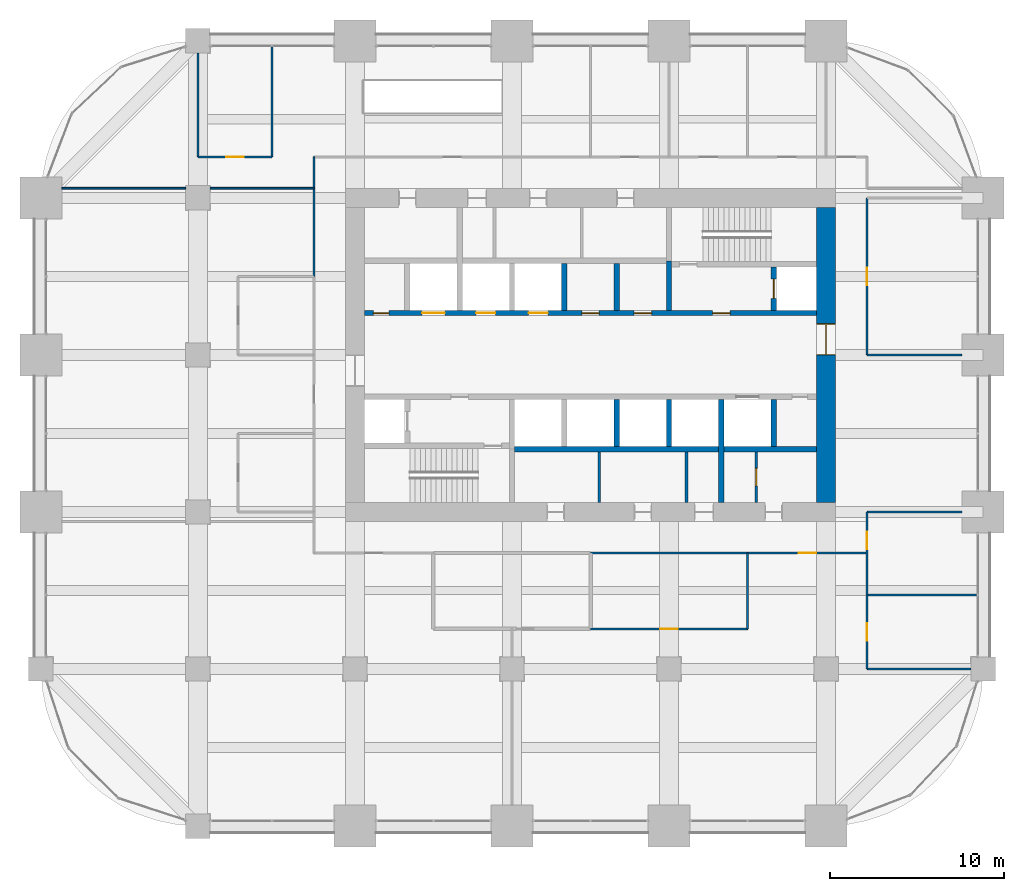
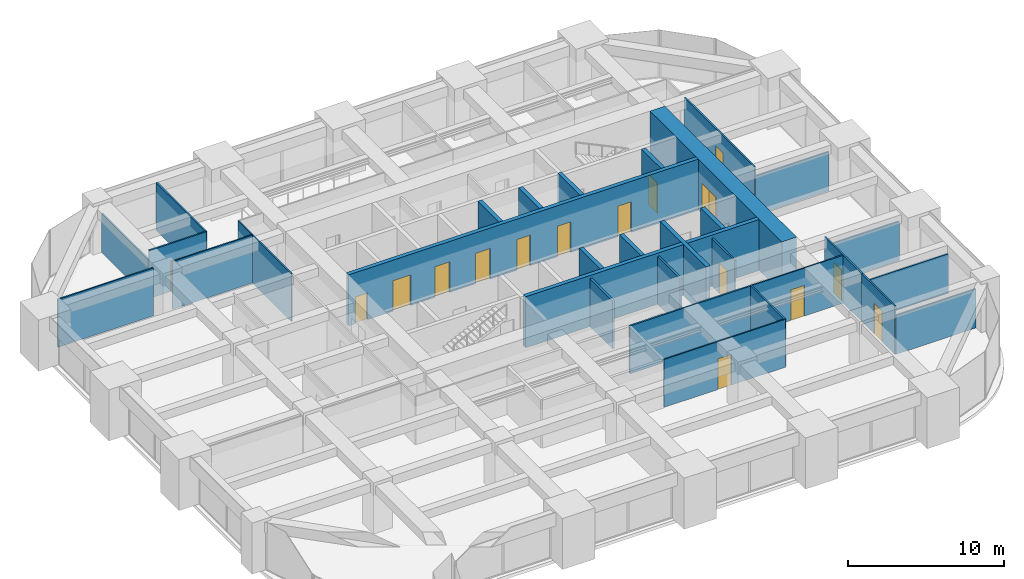
# One storey, part 30 of 32: 31 walls, 16 doors, 16 openings.
"""IFC4 building model written with IfcOpenShell, lengths in metres."""

from ifc_helpers import new_model, si_unit, direction, frame, frame_2d, origin, place, context, subcontext, project, spatial, rectangle, extrude, material, layer, layer_set, type_object, element, fill, save


model = new_model("IFC4")

# Units and contexts
model_context = context("Model", 3, precision=1e-05, world=origin(), true_north=direction((0.0, 1.0)))
body_context = subcontext(model_context, "Body", "Model", "MODEL_VIEW")
ifc_project = project(units=[si_unit("LENGTHUNIT", "METRE"), si_unit("AREAUNIT", "SQUARE_METRE"), si_unit("VOLUMEUNIT", "CUBIC_METRE"), si_unit("PLANEANGLEUNIT", "RADIAN"), si_unit("MASSUNIT", "GRAM", prefix="KILO")], contexts=[model_context])

# Site, building, storey
site_placement = place(None, origin())
site = spatial("IfcSite", under=ifc_project, at=site_placement, CompositionType="ELEMENT")
building_placement = place(site_placement, origin())
building = spatial("IfcBuilding", under=site, at=building_placement, Name="Zorevar Civic Tower", CompositionType="ELEMENT")
storey_placement = place(building_placement, frame((0.0, 0.0, 198.199951171875)))
storey = spatial("IfcBuildingStorey", under=building, at=storey_placement, Name="L48", CompositionType="ELEMENT", Elevation=198.199951171875)

# Wall, opening, door
ifc_material_1 = material(Name="Concrete C50/60", Category="concrete")
ifc_layer_1 = layer(ifc_material_1, 1.10009765625)
ifc_layer_set_1 = layer_set([ifc_layer_1], Name="Core wall 1100")
wall_type_1 = type_object("IfcWallType", Name="Core wall 1100", PredefinedType="SHEAR", material=ifc_layer_set_1)
wall_1_placement = place(storey_placement, frame((45.0, 18.550048828125, 0.0), z_axis=(0.0, 0.0, 1.0), x_axis=(0.0, 1.0, 0.0)))
wall_1 = element("IfcWall", 1, at=wall_1_placement, inside=storey, type_object=wall_type_1, Name="Core wall E L48", PredefinedType="SHEAR", context=body_context, shape_type="SweptSolid", body=[
    extrude(rectangle(XDim=16.89990234375, YDim=1.10009765625, at=frame_2d((8.449951171875, 0.0))), origin(), (0.0, 0.0, 1.0), 4.0),
])
opening_1_placement = place(wall_1_placement, frame((8.449951171875, 0.0, 0.0)))
opening_1 = element("IfcOpeningElement", 2, at=opening_1_placement, cuts=wall_1, Name="Opening L48.02", PredefinedType="OPENING", context=body_context, shape_type="SweptSolid", body=[
    extrude(rectangle(XDim=1.800048828125, YDim=2.39990234375, at=frame_2d((0.89990234375, 1.199951171875))), frame((0.0, 0.56005859375, 0.0), z_axis=(0.0, -1.0, 0.0), x_axis=(1.0, 0.0, 0.0)), (0.0, 0.0, 1.0), 1.1201171875),
])
ifc_material_2 = material(Name="Steel door set", Category="steel")
door_type_1 = type_object("IfcDoorType", Name="Fire door FD2 1800x2400", OperationType="DOUBLE_DOOR_DOUBLE_SWING", PredefinedType="DOOR", material=ifc_material_2)
door_1_placement = place(opening_1_placement, origin())
door_1 = element("IfcDoor", 3, at=door_1_placement, inside=storey, type_object=door_type_1, Name="Door L48 01", OperationType="DOUBLE_DOOR_DOUBLE_SWING", OverallHeight=2.39990234375, OverallWidth=1.800048828125, PredefinedType="DOOR", context=body_context, shape_type="SweptSolid", body=[
    extrude(rectangle(XDim=1.800048828125, YDim=2.39990234375, at=frame_2d((0.89990234375, 1.199951171875))), frame((0.0, 0.030029296875, 0.0), z_axis=(0.0, -1.0, 0.0), x_axis=(1.0, 0.0, 0.0)), (0.0, 0.0, 1.0), 0.06005859375),
    extrude(rectangle(XDim=0.04, YDim=2.39990234375, at=frame_2d((0.02001953125, 1.199951171875))), frame((0.0, 0.5498046875, 0.0), z_axis=(0.0, -1.0, 0.0), x_axis=(1.0, 0.0, 0.0)), (0.0, 0.0, 1.0), 1.099609375),
    extrude(rectangle(XDim=0.04, YDim=2.39990234375, at=frame_2d((1.780029296875, 1.199951171875))), frame((0.0, 0.5498046875, 0.0), z_axis=(0.0, -1.0, 0.0), x_axis=(1.0, 0.0, 0.0)), (0.0, 0.0, 1.0), 1.099609375),
    extrude(rectangle(XDim=1.800048828125, YDim=0.04, at=frame_2d((0.89990234375, 2.3798828125))), frame((0.0, 0.5498046875, 0.0), z_axis=(0.0, -1.0, 0.0), x_axis=(1.0, 0.0, 0.0)), (0.0, 0.0, 1.0), 1.099609375),
])
fill(opening_1, door_1)

ifc_material_3 = material(Name="Laminated glass in black aluminium frame", Category="aluminium")
ifc_layer_2 = layer(ifc_material_3, 0.10009765625)
ifc_layer_set_2 = layer_set([ifc_layer_2], Name="Glazed partition 100")
wall_type_2 = type_object("IfcWallType", Name="Glazed partition 100", PredefinedType="PARTITIONING", material=ifc_layer_set_2)
wall_2_placement = place(storey_placement, frame((31.5, 11.300048828125, 0.0), z_axis=(0.0, 0.0, 1.0), x_axis=(1.0, 0.0, 0.0)))
wall_2 = element("IfcWall", 4, at=wall_2_placement, inside=storey, type_object=wall_type_2, Name="Glazed partition 100 L48", PredefinedType="PARTITIONING", context=body_context, shape_type="SweptSolid", body=[
    extrude(rectangle(XDim=9.0, YDim=0.10009765625, at=frame_2d((4.5, 0.0))), origin(), (0.0, 0.0, 1.0), 3.75),
])
opening_2_placement = place(wall_2_placement, frame((4.0, 0.0, 0.0)))
opening_2 = element("IfcOpeningElement", 5, at=opening_2_placement, cuts=wall_2, Name="Opening L48.18", PredefinedType="OPENING", context=body_context, shape_type="SweptSolid", body=[
    extrude(rectangle(XDim=1.0, YDim=2.39990234375, at=frame_2d((0.5, 1.199951171875))), frame((0.0, 0.06005859375, 0.0), z_axis=(0.0, -1.0, 0.0), x_axis=(1.0, 0.0, 0.0)), (0.0, 0.0, 1.0), 0.1201171875),
])
ifc_material_4 = material(Name="Timber door set", Category="wood")
door_type_2 = type_object("IfcDoorType", Name="Glazed door GD1 1000x2400", OperationType="SINGLE_SWING_LEFT", PredefinedType="DOOR", material=ifc_material_4)
door_2_placement = place(opening_2_placement, origin())
door_2 = element("IfcDoor", 6, at=door_2_placement, inside=storey, type_object=door_type_2, Name="Door L48 D1", OperationType="SINGLE_SWING_LEFT", OverallHeight=2.39990234375, OverallWidth=1.0, PredefinedType="DOOR", context=body_context, shape_type="SweptSolid", body=[
    extrude(rectangle(XDim=1.0, YDim=2.39990234375, at=frame_2d((0.5, 1.199951171875))), frame((0.0, 0.02001953125, 0.0), z_axis=(0.0, -1.0, 0.0), x_axis=(1.0, 0.0, 0.0)), (0.0, 0.0, 1.0), 0.0400390625),
])
fill(opening_2, door_2)

wall_3_placement = place(storey_placement, frame((40.5, 15.64990234375, 0.0), z_axis=(0.0, 0.0, 1.0), x_axis=(1.0, 0.0, 0.0)))
wall_3 = element("IfcWall", 7, at=wall_3_placement, inside=storey, type_object=wall_type_2, Name="Glazed partition 100 L48", PredefinedType="PARTITIONING", context=body_context, shape_type="SweptSolid", body=[
    extrude(rectangle(XDim=6.85009765625, YDim=0.10009765625, at=frame_2d((3.425048828125, 0.0))), origin(), (0.0, 0.0, 1.0), 3.75),
])
opening_3_placement = place(wall_3_placement, frame((2.925048828125, 0.0, 0.0)))
opening_3 = element("IfcOpeningElement", 8, at=opening_3_placement, cuts=wall_3, Name="Opening L48.20", PredefinedType="OPENING", context=body_context, shape_type="SweptSolid", body=[
    extrude(rectangle(XDim=1.0, YDim=2.39990234375, at=frame_2d((0.5, 1.199951171875))), frame((0.0, 0.06005859375, 0.0), z_axis=(0.0, -1.0, 0.0), x_axis=(1.0, 0.0, 0.0)), (0.0, 0.0, 1.0), 0.1201171875),
])
door_3_placement = place(opening_3_placement, origin())
door_3 = element("IfcDoor", 9, at=door_3_placement, inside=storey, type_object=door_type_2, Name="Door L48 D1", OperationType="SINGLE_SWING_RIGHT", OverallHeight=2.39990234375, OverallWidth=1.0, PredefinedType="DOOR", context=body_context, shape_type="SweptSolid", body=[
    extrude(rectangle(XDim=1.0, YDim=2.39990234375, at=frame_2d((0.5, 1.199951171875))), frame((0.0, 0.02001953125, 0.0), z_axis=(0.0, -1.0, 0.0), x_axis=(1.0, 0.0, 0.0)), (0.0, 0.0, 1.0), 0.0400390625),
])
fill(opening_3, door_3)

# Walls
wall_4_placement = place(storey_placement, frame((1.199951171875, 36.550048828125, 0.0), z_axis=(0.0, 0.0, 1.0), x_axis=(1.0, 0.0, 0.0)))
element("IfcWall", 10, at=wall_4_placement, inside=storey, type_object=wall_type_2, Name="Glazed partition 100 L48", PredefinedType="PARTITIONING", context=body_context, shape_type="SweptSolid", body=[
    extrude(rectangle(XDim=7.10009765625, YDim=0.10009765625, at=frame_2d((3.550048828125, 0.0))), origin(), (0.0, 0.0, 1.0), 3.75),
])
wall_5_placement = place(storey_placement, frame((9.699951171875, 36.550048828125, 0.0), z_axis=(0.0, 0.0, 1.0), x_axis=(1.0, 0.0, 0.0)))
element("IfcWall", 11, at=wall_5_placement, inside=storey, type_object=wall_type_2, Name="Glazed partition 100 L48", PredefinedType="PARTITIONING", context=body_context, shape_type="SweptSolid", body=[
    extrude(rectangle(XDim=5.949951171875, YDim=0.10009765625, at=frame_2d((2.97509765625, 0.0))), origin(), (0.0, 0.0, 1.0), 3.75),
])
wall_6_placement = place(storey_placement, frame((15.64990234375, 31.5, 0.0), z_axis=(0.0, 0.0, 1.0), x_axis=(0.0, 1.0, 0.0)))
element("IfcWall", 12, at=wall_6_placement, inside=storey, type_object=wall_type_2, Name="Glazed partition 100 L48", PredefinedType="PARTITIONING", context=body_context, shape_type="SweptSolid", body=[
    extrude(rectangle(XDim=6.85009765625, YDim=0.10009765625, at=frame_2d((3.425048828125, 0.0))), origin(), (0.0, 0.0, 1.0), 3.75),
])

# Wall, opening, door
ifc_material_5 = material(Name="Concrete C40/50", Category="concrete")
ifc_layer_3 = layer(ifc_material_5, 0.300048828125)
ifc_layer_set_3 = layer_set([ifc_layer_3], Name="Inner core wall 300")
wall_type_3 = type_object("IfcWallType", Name="Inner core wall 300", PredefinedType="SHEAR", material=ifc_layer_set_3)
wall_7_placement = place(storey_placement, frame((42.0, 29.550048828125, 0.0), z_axis=(0.0, 0.0, 1.0), x_axis=(0.0, 1.0, 0.0)))
wall_7 = element("IfcWall", 13, at=wall_7_placement, inside=storey, type_object=wall_type_3, Name="Inner core wall N02 L48", PredefinedType="SHEAR", context=body_context, shape_type="SweptSolid", body=[
    extrude(rectangle(XDim=2.5, YDim=0.300048828125, at=frame_2d((1.25, 0.0))), origin(), (0.0, 0.0, 1.0), 4.0),
])
opening_4_placement = place(wall_7_placement, frame((0.699951171875, 0.0, 0.0)))
opening_4 = element("IfcOpeningElement", 14, at=opening_4_placement, cuts=wall_7, Name="Opening L48.FL2", PredefinedType="OPENING", context=body_context, shape_type="SweptSolid", body=[
    extrude(rectangle(XDim=1.10009765625, YDim=2.39990234375, at=frame_2d((0.550048828125, 1.199951171875))), frame((0.0, 0.159912109375, 0.0), z_axis=(0.0, -1.0, 0.0), x_axis=(1.0, 0.0, 0.0)), (0.0, 0.0, 1.0), 0.320068359375),
])
ifc_material_6 = material(Name="Steel door set", Category="steel")
door_type_3 = type_object("IfcDoorType", Name="Firefighting lift landing door LD3 1100x2400", OperationType="DOUBLE_DOOR_SLIDING", PredefinedType="DOOR", material=ifc_material_6)
door_4_placement = place(opening_4_placement, origin())
door_4 = element("IfcDoor", 15, at=door_4_placement, inside=storey, type_object=door_type_3, Name="Landing door FL2 L48", OperationType="DOUBLE_DOOR_SLIDING", OverallHeight=2.39990234375, OverallWidth=1.10009765625, PredefinedType="DOOR", context=body_context, shape_type="SweptSolid", body=[
    extrude(rectangle(XDim=1.10009765625, YDim=2.39990234375, at=frame_2d((0.550048828125, 1.199951171875))), frame((0.0, 0.030029296875, 0.0), z_axis=(0.0, -1.0, 0.0), x_axis=(1.0, 0.0, 0.0)), (0.0, 0.0, 1.0), 0.06005859375),
])
fill(opening_4, door_4)

# Wall, openings, doors
wall_8_placement = place(storey_placement, frame((18.550048828125, 29.39990234375, 0.0), z_axis=(0.0, 0.0, 1.0), x_axis=(1.0, 0.0, 0.0)))
wall_8 = element("IfcWall", 16, at=wall_8_placement, inside=storey, type_object=wall_type_3, Name="Inner core wall N03 L48", PredefinedType="SHEAR", context=body_context, shape_type="SweptSolid", body=[
    extrude(rectangle(XDim=25.89990234375, YDim=0.300048828125, at=frame_2d((12.949951171875, 0.0))), origin(), (0.0, 0.0, 1.0), 4.0),
])
opening_5_placement = place(wall_8_placement, frame((19.949951171875, 0.0, 0.0)))
opening_5 = element("IfcOpeningElement", 17, at=opening_5_placement, cuts=wall_8, Name="Opening L48.14", PredefinedType="OPENING", context=body_context, shape_type="SweptSolid", body=[
    extrude(rectangle(XDim=1.0, YDim=2.39990234375, at=frame_2d((0.5, 1.199951171875))), frame((0.0, 0.159912109375, 0.0), z_axis=(0.0, -1.0, 0.0), x_axis=(1.0, 0.0, 0.0)), (0.0, 0.0, 1.0), 0.320068359375),
])
opening_6_placement = place(wall_8_placement, frame((0.5, 0.0, 0.0)))
opening_6 = element("IfcOpeningElement", 18, at=opening_6_placement, cuts=wall_8, Name="Opening L48.16", PredefinedType="OPENING", context=body_context, shape_type="SweptSolid", body=[
    extrude(rectangle(XDim=0.89990234375, YDim=2.10009765625, at=frame_2d((0.449951171875, 1.050048828125))), frame((0.0, 0.159912109375, 0.0), z_axis=(0.0, -1.0, 0.0), x_axis=(1.0, 0.0, 0.0)), (0.0, 0.0, 1.0), 0.320068359375),
])
opening_7_placement = place(wall_8_placement, frame((15.449951171875, 0.0, 0.0)))
opening_7 = element("IfcOpeningElement", 19, at=opening_7_placement, cuts=wall_8, Name="Opening L48.34", PredefinedType="OPENING", context=body_context, shape_type="SweptSolid", body=[
    extrude(rectangle(XDim=1.0, YDim=2.39990234375, at=frame_2d((0.5, 1.199951171875))), frame((0.0, 0.159912109375, 0.0), z_axis=(0.0, -1.0, 0.0), x_axis=(1.0, 0.0, 0.0)), (0.0, 0.0, 1.0), 0.320068359375),
])
opening_8_placement = place(wall_8_placement, frame((12.449951171875, 0.0, 0.0)))
opening_8 = element("IfcOpeningElement", 20, at=opening_8_placement, cuts=wall_8, Name="Opening L48.35", PredefinedType="OPENING", context=body_context, shape_type="SweptSolid", body=[
    extrude(rectangle(XDim=1.0, YDim=2.39990234375, at=frame_2d((0.5, 1.199951171875))), frame((0.0, 0.159912109375, 0.0), z_axis=(0.0, -1.0, 0.0), x_axis=(1.0, 0.0, 0.0)), (0.0, 0.0, 1.0), 0.320068359375),
])
opening_9_placement = place(wall_8_placement, frame((9.39990234375, 0.0, 0.0)))
opening_9 = element("IfcOpeningElement", 21, at=opening_9_placement, cuts=wall_8, Name="Opening L48.LH1", PredefinedType="OPENING", context=body_context, shape_type="SweptSolid", body=[
    extrude(rectangle(XDim=1.10009765625, YDim=2.39990234375, at=frame_2d((0.550048828125, 1.199951171875))), frame((0.0, 0.159912109375, 0.0), z_axis=(0.0, -1.0, 0.0), x_axis=(1.0, 0.0, 0.0)), (0.0, 0.0, 1.0), 0.320068359375),
])
opening_10_placement = place(wall_8_placement, frame((6.39990234375, 0.0, 0.0)))
opening_10 = element("IfcOpeningElement", 22, at=opening_10_placement, cuts=wall_8, Name="Opening L48.LH2", PredefinedType="OPENING", context=body_context, shape_type="SweptSolid", body=[
    extrude(rectangle(XDim=1.10009765625, YDim=2.39990234375, at=frame_2d((0.550048828125, 1.199951171875))), frame((0.0, 0.159912109375, 0.0), z_axis=(0.0, -1.0, 0.0), x_axis=(1.0, 0.0, 0.0)), (0.0, 0.0, 1.0), 0.320068359375),
])
opening_11_placement = place(wall_8_placement, frame((3.300048828125, 0.0, 0.0)))
opening_11 = element("IfcOpeningElement", 23, at=opening_11_placement, cuts=wall_8, Name="Opening L48.SL2", PredefinedType="OPENING", context=body_context, shape_type="SweptSolid", body=[
    extrude(rectangle(XDim=1.300048828125, YDim=2.39990234375, at=frame_2d((0.64990234375, 1.199951171875))), frame((0.0, 0.159912109375, 0.0), z_axis=(0.0, -1.0, 0.0), x_axis=(1.0, 0.0, 0.0)), (0.0, 0.0, 1.0), 0.320068359375),
])
ifc_material_7 = material(Name="Steel door set", Category="steel")
door_type_4 = type_object("IfcDoorType", Name="Fire door FD1 1000x2400", OperationType="SINGLE_SWING_LEFT", PredefinedType="DOOR", material=ifc_material_7)
door_5_placement = place(opening_5_placement, origin())
door_5 = element("IfcDoor", 24, at=door_5_placement, inside=storey, type_object=door_type_4, Name="Door L48 13", OperationType="SINGLE_SWING_RIGHT", OverallHeight=2.39990234375, OverallWidth=1.0, PredefinedType="DOOR", context=body_context, shape_type="SweptSolid", body=[
    extrude(rectangle(XDim=1.0, YDim=2.39990234375, at=frame_2d((0.5, 1.199951171875))), frame((0.0, 0.030029296875, 0.0), z_axis=(0.0, -1.0, 0.0), x_axis=(1.0, 0.0, 0.0)), (0.0, 0.0, 1.0), 0.06005859375),
])
fill(opening_5, door_5)
door_6_placement = place(opening_7_placement, origin())
door_6 = element("IfcDoor", 25, at=door_6_placement, inside=storey, type_object=door_type_4, Name="Door L48 LM1 shaft room", OperationType="SINGLE_SWING_LEFT", OverallHeight=2.39990234375, OverallWidth=1.0, PredefinedType="DOOR", context=body_context, shape_type="SweptSolid", body=[
    extrude(rectangle(XDim=1.0, YDim=2.39990234375, at=frame_2d((0.5, 1.199951171875))), frame((0.0, 0.030029296875, 0.0), z_axis=(0.0, -1.0, 0.0), x_axis=(1.0, 0.0, 0.0)), (0.0, 0.0, 1.0), 0.06005859375),
])
fill(opening_7, door_6)
door_7_placement = place(opening_8_placement, origin())
door_7 = element("IfcDoor", 26, at=door_7_placement, inside=storey, type_object=door_type_4, Name="Door L48 LM2 shaft room", OperationType="SINGLE_SWING_LEFT", OverallHeight=2.39990234375, OverallWidth=1.0, PredefinedType="DOOR", context=body_context, shape_type="SweptSolid", body=[
    extrude(rectangle(XDim=1.0, YDim=2.39990234375, at=frame_2d((0.5, 1.199951171875))), frame((0.0, 0.030029296875, 0.0), z_axis=(0.0, -1.0, 0.0), x_axis=(1.0, 0.0, 0.0)), (0.0, 0.0, 1.0), 0.06005859375),
])
fill(opening_8, door_7)
ifc_material_8 = material(Name="Steel door set", Category="steel")
door_type_5 = type_object("IfcDoorType", Name="Landing door LD1 1100x2400", OperationType="DOUBLE_DOOR_SLIDING", PredefinedType="DOOR", material=ifc_material_8)
door_8_placement = place(opening_9_placement, origin())
door_8 = element("IfcDoor", 27, at=door_8_placement, inside=storey, type_object=door_type_5, Name="Landing door LH1 L48", OperationType="DOUBLE_DOOR_SLIDING", OverallHeight=2.39990234375, OverallWidth=1.10009765625, PredefinedType="DOOR", context=body_context, shape_type="SweptSolid", body=[
    extrude(rectangle(XDim=1.10009765625, YDim=2.39990234375, at=frame_2d((0.550048828125, 1.199951171875))), frame((0.0, 0.02001953125, 0.0), z_axis=(0.0, -1.0, 0.0), x_axis=(1.0, 0.0, 0.0)), (0.0, 0.0, 1.0), 0.0400390625),
])
fill(opening_9, door_8)
door_9_placement = place(opening_10_placement, origin())
door_9 = element("IfcDoor", 28, at=door_9_placement, inside=storey, type_object=door_type_5, Name="Landing door LH2 L48", OperationType="DOUBLE_DOOR_SLIDING", OverallHeight=2.39990234375, OverallWidth=1.10009765625, PredefinedType="DOOR", context=body_context, shape_type="SweptSolid", body=[
    extrude(rectangle(XDim=1.10009765625, YDim=2.39990234375, at=frame_2d((0.550048828125, 1.199951171875))), frame((0.0, 0.02001953125, 0.0), z_axis=(0.0, -1.0, 0.0), x_axis=(1.0, 0.0, 0.0)), (0.0, 0.0, 1.0), 0.0400390625),
])
fill(opening_10, door_9)
ifc_material_9 = material(Name="Steel door set", Category="steel")
door_type_6 = type_object("IfcDoorType", Name="Landing door LD2 1300x2400", OperationType="DOUBLE_DOOR_SLIDING", PredefinedType="DOOR", material=ifc_material_9)
door_10_placement = place(opening_11_placement, origin())
door_10 = element("IfcDoor", 29, at=door_10_placement, inside=storey, type_object=door_type_6, Name="Landing door SL2 L48", OperationType="DOUBLE_DOOR_SLIDING", OverallHeight=2.39990234375, OverallWidth=1.300048828125, PredefinedType="DOOR", context=body_context, shape_type="SweptSolid", body=[
    extrude(rectangle(XDim=1.300048828125, YDim=2.39990234375, at=frame_2d((0.64990234375, 1.199951171875))), frame((0.0, 0.02001953125, 0.0), z_axis=(0.0, -1.0, 0.0), x_axis=(1.0, 0.0, 0.0)), (0.0, 0.0, 1.0), 0.0400390625),
])
fill(opening_11, door_10)
ifc_material_10 = material(Name="Steel door set", Category="steel")
door_type_7 = type_object("IfcDoorType", Name="Riser door RD1 900x2100", OperationType="SINGLE_SWING_LEFT", PredefinedType="DOOR", material=ifc_material_10)
door_11_placement = place(opening_6_placement, origin())
door_11 = element("IfcDoor", 30, at=door_11_placement, inside=storey, type_object=door_type_7, Name="Door L48 15", OperationType="SINGLE_SWING_RIGHT", OverallHeight=2.10009765625, OverallWidth=0.89990234375, PredefinedType="DOOR", context=body_context, shape_type="SweptSolid", body=[
    extrude(rectangle(XDim=0.89990234375, YDim=2.10009765625, at=frame_2d((0.449951171875, 1.050048828125))), frame((0.0, 0.030029296875, 0.0), z_axis=(0.0, -1.0, 0.0), x_axis=(1.0, 0.0, 0.0)), (0.0, 0.0, 1.0), 0.06005859375),
])
fill(opening_6, door_11)

# Walls
wall_9_placement = place(storey_placement, frame((27.14990234375, 21.60009765625, 0.0), z_axis=(0.0, 0.0, 1.0), x_axis=(1.0, 0.0, 0.0)))
element("IfcWall", 31, at=wall_9_placement, inside=storey, type_object=wall_type_3, Name="Inner core wall S04 L48", PredefinedType="SHEAR", context=body_context, shape_type="SweptSolid", body=[
    extrude(rectangle(XDim=17.300048828125, YDim=0.300048828125, at=frame_2d((8.64990234375, 0.0))), origin(), (0.0, 0.0, 1.0), 4.0),
])
for number, where, z_axis, x_axis, name in (
    (32, (33.0, 29.550048828125, 0.0), (0.0, 0.0, 1.0), (0.0, 1.0, 0.0), "Inner core wall N05 L48"),
    (33, (33.0, 21.75, 0.0), (0.0, 0.0, 1.0), (0.0, 1.0, 0.0), "Inner core wall S06 L48"),
    (34, (30.0, 29.550048828125, 0.0), (0.0, 0.0, 1.0), (0.0, 1.0, 0.0), "Inner core wall N06 L48"),
    (35, (36.0, 21.75, 0.0), (0.0, 0.0, 1.0), (0.0, 1.0, 0.0), "Inner core wall S07 L48"),
):
    element("IfcWall", number, at=place(storey_placement, frame(where, z_axis=z_axis, x_axis=x_axis)), inside=storey, type_object=wall_type_3, Name=name, PredefinedType="SHEAR", context=body_context, shape_type="SweptSolid", body=[
        extrude(rectangle(XDim=2.699951171875, YDim=0.300048828125, at=frame_2d((1.35009765625, 0.0))), origin(), (0.0, 0.0, 1.0), 4.0),
    ])
wall_10_placement = place(storey_placement, frame((39.0, 18.550048828125, 0.0), z_axis=(0.0, 0.0, 1.0), x_axis=(0.0, 1.0, 0.0)))
element("IfcWall", 36, at=wall_10_placement, inside=storey, type_object=wall_type_3, Name="Inner core wall S08 L48", PredefinedType="SHEAR", context=body_context, shape_type="SweptSolid", body=[
    extrude(rectangle(XDim=5.89990234375, YDim=0.300048828125, at=frame_2d((2.949951171875, 0.0))), origin(), (0.0, 0.0, 1.0), 4.0),
])
wall_11_placement = place(storey_placement, frame((42.0, 21.75, 0.0), z_axis=(0.0, 0.0, 1.0), x_axis=(0.0, 1.0, 0.0)))
element("IfcWall", 37, at=wall_11_placement, inside=storey, type_object=wall_type_3, Name="Inner core wall S09 L48", PredefinedType="SHEAR", context=body_context, shape_type="SweptSolid", body=[
    extrude(rectangle(XDim=2.699951171875, YDim=0.300048828125, at=frame_2d((1.35009765625, 0.0))), origin(), (0.0, 0.0, 1.0), 4.0),
])
wall_12_placement = place(storey_placement, frame((36.0, 29.550048828125, 0.0), z_axis=(0.0, 0.0, 1.0), x_axis=(0.0, 1.0, 0.0)))
element("IfcWall", 38, at=wall_12_placement, inside=storey, type_object=wall_type_3, Name="Inner core wall N10 L48", PredefinedType="SHEAR", context=body_context, shape_type="SweptSolid", body=[
    extrude(rectangle(XDim=2.849853515625, YDim=0.300048828125, at=frame_2d((1.4248046875, 0.0))), origin(), (0.0, 0.0, 1.0), 4.0),
])
ifc_material_11 = material(Name="Gypsum board on steel studs", Category="steel")
ifc_layer_4 = layer(ifc_material_11, 0.1201171875)
ifc_layer_set_4 = layer_set([ifc_layer_4], Name="Partition 120")
wall_type_4 = type_object("IfcWallType", Name="Partition 120", PredefinedType="PARTITIONING", material=ifc_layer_set_4)
wall_13_placement = place(storey_placement, frame((47.35009765625, 9.0, 0.0), z_axis=(0.0, 0.0, 1.0), x_axis=(1.0, 0.0, 0.0)))
element("IfcWall", 39, at=wall_13_placement, inside=storey, type_object=wall_type_4, Name="Partition 120 L48", PredefinedType="PARTITIONING", context=body_context, shape_type="SweptSolid", body=[
    extrude(rectangle(XDim=5.949951171875, YDim=0.1201171875, at=frame_2d((2.97509765625, 0.0))), origin(), (0.0, 0.0, 1.0), 3.050048828125),
])
wall_14_placement = place(storey_placement, frame((47.35009765625, 13.25, 0.0), z_axis=(0.0, 0.0, 1.0), x_axis=(1.0, 0.0, 0.0)))
element("IfcWall", 40, at=wall_14_placement, inside=storey, type_object=wall_type_4, Name="Partition 120 L48", PredefinedType="PARTITIONING", context=body_context, shape_type="SweptSolid", body=[
    extrude(rectangle(XDim=6.33984375, YDim=0.1201171875, at=frame_2d((3.169921875, 0.0))), origin(), (0.0, 0.0, 1.0), 3.10009765625),
])
wall_15_placement = place(storey_placement, frame((31.5, 15.64990234375, 0.0), z_axis=(0.0, 0.0, 1.0), x_axis=(1.0, 0.0, 0.0)))
element("IfcWall", 41, at=wall_15_placement, inside=storey, type_object=wall_type_4, Name="Partition 120 L48", PredefinedType="PARTITIONING", context=body_context, shape_type="SweptSolid", body=[
    extrude(rectangle(XDim=9.0, YDim=0.1201171875, at=frame_2d((4.5, 0.0))), origin(), (0.0, 0.0, 1.0), 3.75),
])
for number, where, z_axis, x_axis, name in (
    (42, (47.35009765625, 18.0, 0.0), (0.0, 0.0, 1.0), (1.0, 0.0, 0.0), "Partition 120 L48"),
    (43, (47.35009765625, 27.0, 0.0), (0.0, 0.0, 1.0), (1.0, 0.0, 0.0), "Partition 120 L48"),
):
    element("IfcWall", number, at=place(storey_placement, frame(where, z_axis=z_axis, x_axis=x_axis)), inside=storey, type_object=wall_type_4, Name=name, PredefinedType="PARTITIONING", context=body_context, shape_type="SweptSolid", body=[
        extrude(rectangle(XDim=5.449951171875, YDim=0.1201171875, at=frame_2d((2.72509765625, 0.0))), origin(), (0.0, 0.0, 1.0), 3.050048828125),
    ])

# Wall, opening, door
wall_16_placement = place(storey_placement, frame((9.0, 38.35009765625, 0.0), z_axis=(0.0, 0.0, 1.0), x_axis=(1.0, 0.0, 0.0)))
wall_16 = element("IfcWall", 44, at=wall_16_placement, inside=storey, type_object=wall_type_4, Name="Partition 120 L48", PredefinedType="PARTITIONING", context=body_context, shape_type="SweptSolid", body=[
    extrude(rectangle(XDim=4.25, YDim=0.1201171875, at=frame_2d((2.125, 0.0))), origin(), (0.0, 0.0, 1.0), 3.75),
])
opening_12_placement = place(wall_16_placement, frame((1.625, 0.0, 0.0)))
opening_12 = element("IfcOpeningElement", 45, at=opening_12_placement, cuts=wall_16, Name="Opening L48.21", PredefinedType="OPENING", context=body_context, shape_type="SweptSolid", body=[
    extrude(rectangle(XDim=1.0, YDim=2.39990234375, at=frame_2d((0.5, 1.199951171875))), frame((0.0, 0.070068359375, 0.0), z_axis=(0.0, -1.0, 0.0), x_axis=(1.0, 0.0, 0.0)), (0.0, 0.0, 1.0), 0.14013671875),
])
ifc_material_12 = material(Name="Timber door set", Category="wood")
door_type_8 = type_object("IfcDoorType", Name="Door D1 1000x2400", OperationType="SINGLE_SWING_LEFT", PredefinedType="DOOR", material=ifc_material_12)
door_12_placement = place(opening_12_placement, origin())
door_12 = element("IfcDoor", 46, at=door_12_placement, inside=storey, type_object=door_type_8, Name="Door L48 D1", OperationType="SINGLE_SWING_RIGHT", OverallHeight=2.39990234375, OverallWidth=1.0, PredefinedType="DOOR", context=body_context, shape_type="SweptSolid", body=[
    extrude(rectangle(XDim=1.0, YDim=2.39990234375, at=frame_2d((0.5, 1.199951171875))), frame((0.0, 0.02490234375, 0.0), z_axis=(0.0, -1.0, 0.0), x_axis=(1.0, 0.0, 0.0)), (0.0, 0.0, 1.0), 0.050048828125),
])
fill(opening_12, door_12)

# Walls
wall_17_placement = place(storey_placement, frame((9.0, 38.35009765625, 0.0), z_axis=(0.0, 0.0, 1.0), x_axis=(0.0, 1.0, 0.0)))
element("IfcWall", 47, at=wall_17_placement, inside=storey, type_object=wall_type_4, Name="Partition 120 L48", PredefinedType="PARTITIONING", context=body_context, shape_type="SweptSolid", body=[
    extrude(rectangle(XDim=5.949951171875, YDim=0.1201171875, at=frame_2d((2.97509765625, 0.0))), origin(), (0.0, 0.0, 1.0), 3.050048828125),
])
wall_18_placement = place(storey_placement, frame((13.25, 38.35009765625, 0.0), z_axis=(0.0, 0.0, 1.0), x_axis=(0.0, 1.0, 0.0)))
element("IfcWall", 48, at=wall_18_placement, inside=storey, type_object=wall_type_4, Name="Partition 120 L48", PredefinedType="PARTITIONING", context=body_context, shape_type="SweptSolid", body=[
    extrude(rectangle(XDim=6.33984375, YDim=0.1201171875, at=frame_2d((3.169921875, 0.0))), origin(), (0.0, 0.0, 1.0), 3.75),
])
wall_19_placement = place(storey_placement, frame((40.5, 11.300048828125, 0.0), z_axis=(0.0, 0.0, 1.0), x_axis=(0.0, 1.0, 0.0)))
element("IfcWall", 49, at=wall_19_placement, inside=storey, type_object=wall_type_4, Name="Partition 120 L48", PredefinedType="PARTITIONING", context=body_context, shape_type="SweptSolid", body=[
    extrude(rectangle(XDim=4.349853515625, YDim=0.1201171875, at=frame_2d((2.1748046875, 0.0))), origin(), (0.0, 0.0, 1.0), 3.75),
])

# Wall, opening, door
wall_20_placement = place(storey_placement, frame((47.35009765625, 9.0, 0.0), z_axis=(0.0, 0.0, 1.0), x_axis=(0.0, 1.0, 0.0)))
wall_20 = element("IfcWall", 50, at=wall_20_placement, inside=storey, type_object=wall_type_4, Name="Partition 120 L48", PredefinedType="PARTITIONING", context=body_context, shape_type="SweptSolid", body=[
    extrude(rectangle(XDim=4.25, YDim=0.1201171875, at=frame_2d((2.125, 0.0))), origin(), (0.0, 0.0, 1.0), 3.75),
])
opening_13_placement = place(wall_20_placement, frame((1.625, 0.0, 0.0)))
opening_13 = element("IfcOpeningElement", 51, at=opening_13_placement, cuts=wall_20, Name="Opening L48.30", PredefinedType="OPENING", context=body_context, shape_type="SweptSolid", body=[
    extrude(rectangle(XDim=1.0, YDim=2.39990234375, at=frame_2d((0.5, 1.199951171875))), frame((0.0, 0.070068359375, 0.0), z_axis=(0.0, -1.0, 0.0), x_axis=(1.0, 0.0, 0.0)), (0.0, 0.0, 1.0), 0.14013671875),
])
door_13_placement = place(opening_13_placement, origin())
door_13 = element("IfcDoor", 52, at=door_13_placement, inside=storey, type_object=door_type_8, Name="Door L48 D1", OperationType="SINGLE_SWING_LEFT", OverallHeight=2.39990234375, OverallWidth=1.0, PredefinedType="DOOR", context=body_context, shape_type="SweptSolid", body=[
    extrude(rectangle(XDim=1.0, YDim=2.39990234375, at=frame_2d((0.5, 1.199951171875))), frame((0.0, 0.02490234375, 0.0), z_axis=(0.0, -1.0, 0.0), x_axis=(1.0, 0.0, 0.0)), (0.0, 0.0, 1.0), 0.050048828125),
])
fill(opening_13, door_13)

wall_21_placement = place(storey_placement, frame((47.35009765625, 13.25, 0.0), z_axis=(0.0, 0.0, 1.0), x_axis=(0.0, 1.0, 0.0)))
wall_21 = element("IfcWall", 53, at=wall_21_placement, inside=storey, type_object=wall_type_4, Name="Partition 120 L48", PredefinedType="PARTITIONING", context=body_context, shape_type="SweptSolid", body=[
    extrude(rectangle(XDim=4.75, YDim=0.1201171875, at=frame_2d((2.375, 0.0))), origin(), (0.0, 0.0, 1.0), 3.75),
])
opening_14_placement = place(wall_21_placement, frame((2.625, 0.0, 0.0)))
opening_14 = element("IfcOpeningElement", 54, at=opening_14_placement, cuts=wall_21, Name="Opening L48.31", PredefinedType="OPENING", context=body_context, shape_type="SweptSolid", body=[
    extrude(rectangle(XDim=1.0, YDim=2.39990234375, at=frame_2d((0.5, 1.199951171875))), frame((0.0, 0.070068359375, 0.0), z_axis=(0.0, -1.0, 0.0), x_axis=(1.0, 0.0, 0.0)), (0.0, 0.0, 1.0), 0.14013671875),
])
door_14_placement = place(opening_14_placement, origin())
door_14 = element("IfcDoor", 55, at=door_14_placement, inside=storey, type_object=door_type_8, Name="Door L48 D1", OperationType="SINGLE_SWING_RIGHT", OverallHeight=2.39990234375, OverallWidth=1.0, PredefinedType="DOOR", context=body_context, shape_type="SweptSolid", body=[
    extrude(rectangle(XDim=1.0, YDim=2.39990234375, at=frame_2d((0.5, 1.199951171875))), frame((0.0, 0.02490234375, 0.0), z_axis=(0.0, -1.0, 0.0), x_axis=(1.0, 0.0, 0.0)), (0.0, 0.0, 1.0), 0.050048828125),
])
fill(opening_14, door_14)

wall_22_placement = place(storey_placement, frame((47.35009765625, 27.0, 0.0), z_axis=(0.0, 0.0, 1.0), x_axis=(0.0, 1.0, 0.0)))
wall_22 = element("IfcWall", 56, at=wall_22_placement, inside=storey, type_object=wall_type_4, Name="Partition 120 L48", PredefinedType="PARTITIONING", context=body_context, shape_type="SweptSolid", body=[
    extrude(rectangle(XDim=9.0, YDim=0.1201171875, at=frame_2d((4.5, 0.0))), origin(), (0.0, 0.0, 1.0), 3.75),
])
opening_15_placement = place(wall_22_placement, frame((4.0, 0.0, 0.0)))
opening_15 = element("IfcOpeningElement", 57, at=opening_15_placement, cuts=wall_22, Name="Opening L48.32", PredefinedType="OPENING", context=body_context, shape_type="SweptSolid", body=[
    extrude(rectangle(XDim=1.0, YDim=2.39990234375, at=frame_2d((0.5, 1.199951171875))), frame((0.0, 0.070068359375, 0.0), z_axis=(0.0, -1.0, 0.0), x_axis=(1.0, 0.0, 0.0)), (0.0, 0.0, 1.0), 0.14013671875),
])
door_15_placement = place(opening_15_placement, origin())
door_15 = element("IfcDoor", 58, at=door_15_placement, inside=storey, type_object=door_type_8, Name="Door L48 D1", OperationType="SINGLE_SWING_LEFT", OverallHeight=2.39990234375, OverallWidth=1.0, PredefinedType="DOOR", context=body_context, shape_type="SweptSolid", body=[
    extrude(rectangle(XDim=1.0, YDim=2.39990234375, at=frame_2d((0.5, 1.199951171875))), frame((0.0, 0.02490234375, 0.0), z_axis=(0.0, -1.0, 0.0), x_axis=(1.0, 0.0, 0.0)), (0.0, 0.0, 1.0), 0.050048828125),
])
fill(opening_15, door_15)

wall_23_placement = place(storey_placement, frame((41.0, 18.550048828125, 0.0), z_axis=(0.0, 0.0, 1.0), x_axis=(0.0, 1.0, 0.0)))
wall_23 = element("IfcWall", 59, at=wall_23_placement, inside=storey, type_object=wall_type_4, Name="Partition L48", PredefinedType="PARTITIONING", context=body_context, shape_type="SweptSolid", body=[
    extrude(rectangle(XDim=2.89990234375, YDim=0.1201171875, at=frame_2d((1.449951171875, 0.0))), origin(), (0.0, 0.0, 1.0), 3.75),
])
opening_16_placement = place(wall_23_placement, frame((0.949951171875, 0.0, 0.0)))
opening_16 = element("IfcOpeningElement", 60, at=opening_16_placement, cuts=wall_23, Name="Opening L48.33", PredefinedType="OPENING", context=body_context, shape_type="SweptSolid", body=[
    extrude(rectangle(XDim=1.0, YDim=2.39990234375, at=frame_2d((0.5, 1.199951171875))), frame((0.0, 0.070068359375, 0.0), z_axis=(0.0, -1.0, 0.0), x_axis=(1.0, 0.0, 0.0)), (0.0, 0.0, 1.0), 0.14013671875),
])
door_16_placement = place(opening_16_placement, origin())
door_16 = element("IfcDoor", 61, at=door_16_placement, inside=storey, type_object=door_type_4, Name="Door L48 ES", OperationType="SINGLE_SWING_LEFT", OverallHeight=2.39990234375, OverallWidth=1.0, PredefinedType="DOOR", context=body_context, shape_type="SweptSolid", body=[
    extrude(rectangle(XDim=1.0, YDim=2.39990234375, at=frame_2d((0.5, 1.199951171875))), frame((0.0, 0.030029296875, 0.0), z_axis=(0.0, -1.0, 0.0), x_axis=(1.0, 0.0, 0.0)), (0.0, 0.0, 1.0), 0.06005859375),
])
fill(opening_16, door_16)

# Walls
ifc_material_13 = material(Name="Gypsum board on steel studs, moisture resistant", Category="steel")
ifc_layer_5 = layer(ifc_material_13, 0.14990234375)
ifc_layer_set_5 = layer_set([ifc_layer_5], Name="WC partition 150")
wall_type_5 = type_object("IfcWallType", Name="WC partition 150", PredefinedType="PARTITIONING", material=ifc_layer_set_5)
for number, where, z_axis, x_axis, name in (
    (62, (32.0, 18.550048828125, 0.0), (0.0, 0.0, 1.0), (0.0, 1.0, 0.0), "WC partition L48"),
    (63, (37.0, 18.550048828125, 0.0), (0.0, 0.0, 1.0), (0.0, 1.0, 0.0), "WC partition L48"),
):
    element("IfcWall", number, at=place(storey_placement, frame(where, z_axis=z_axis, x_axis=x_axis)), inside=storey, type_object=wall_type_5, Name=name, PredefinedType="PARTITIONING", context=body_context, shape_type="SweptSolid", body=[
        extrude(rectangle(XDim=2.89990234375, YDim=0.14990234375, at=frame_2d((1.449951171875, 0.0))), origin(), (0.0, 0.0, 1.0), 3.75),
    ])

save(model, "model.ifc")
